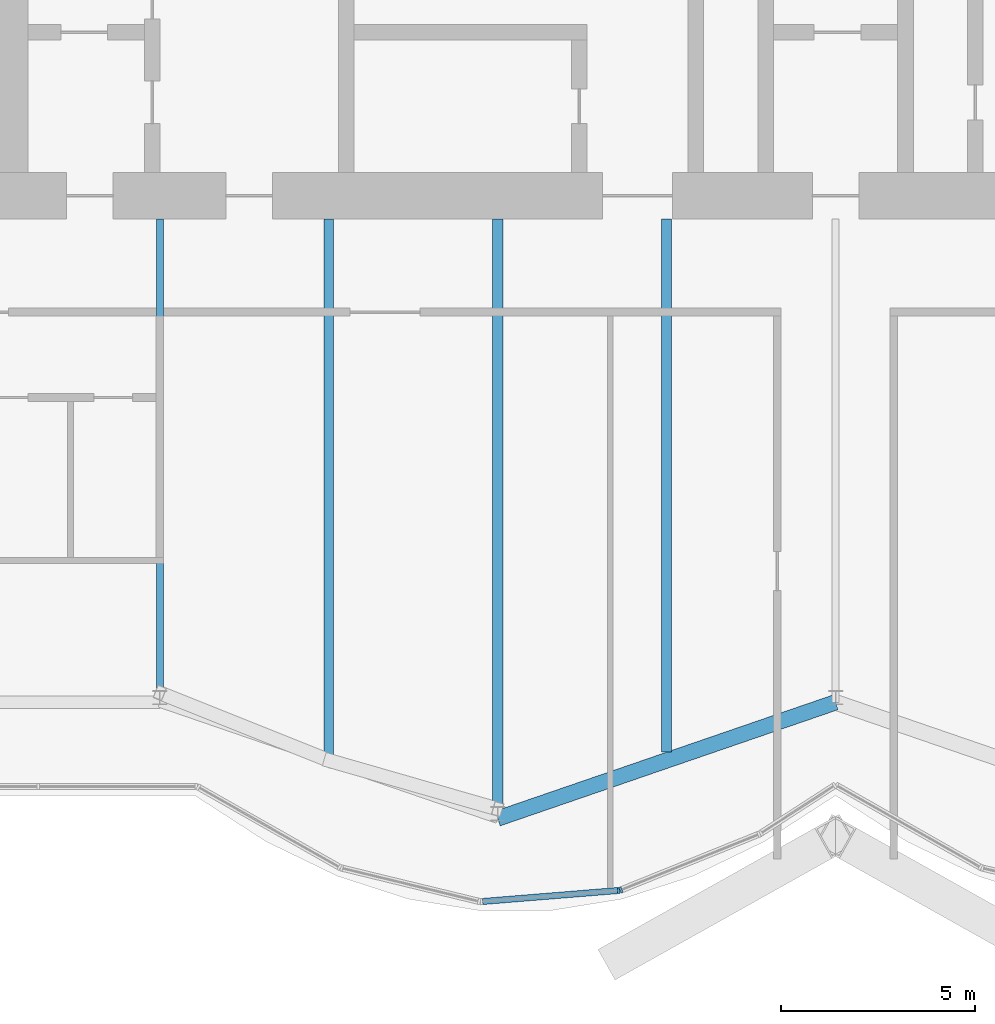
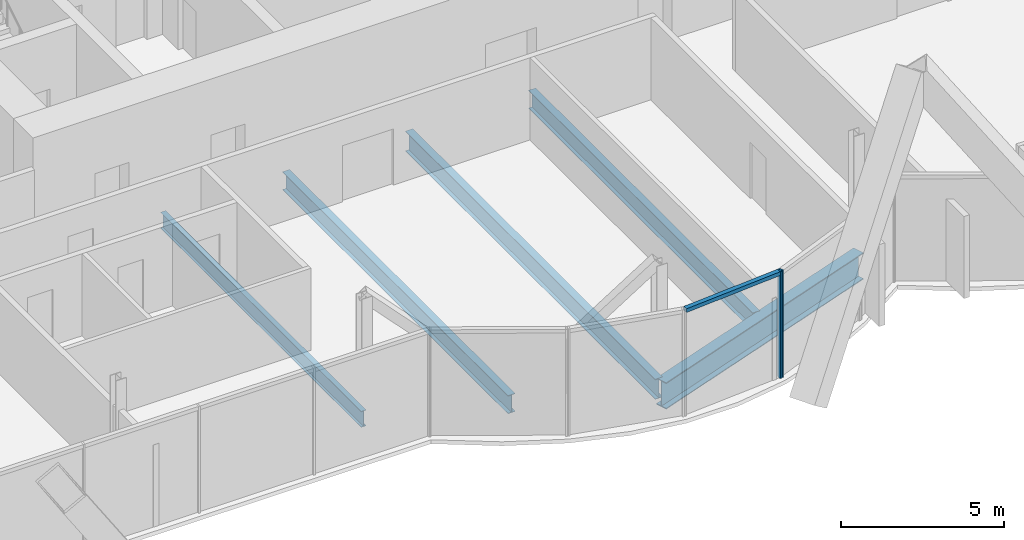
# One storey, part 6 of 19: 5 beams, 3 members, 1 element without a shape of its own.
"""IFC4 building model written with IfcOpenShell, lengths in metres."""

from ifc_helpers import new_model, si_unit, direction, frame, origin, origin_2d, place, context, subcontext, project, spatial, rectangle, i_section, extrude, material, material_profile, profile_set, type_object, element, aggregate, save


model = new_model("IFC4")

# Units and contexts
model_context = context("Model", 3, precision=1e-05, world=origin(), true_north=direction((0.0, 1.0)))
body_context = subcontext(model_context, "Body", "Model", "MODEL_VIEW")
ifc_project = project(units=[si_unit("LENGTHUNIT", "METRE"), si_unit("AREAUNIT", "SQUARE_METRE"), si_unit("VOLUMEUNIT", "CUBIC_METRE"), si_unit("PLANEANGLEUNIT", "RADIAN"), si_unit("MASSUNIT", "GRAM", prefix="KILO")], contexts=[model_context])

# Site, building, storey
site_placement = place(None, origin())
site = spatial("IfcSite", under=ifc_project, at=site_placement, CompositionType="ELEMENT")
building_placement = place(site_placement, origin())
building = spatial("IfcBuilding", under=site, at=building_placement, Name="Bicima Exchange Tower", CompositionType="ELEMENT")
storey_placement = place(building_placement, frame((0.0, 0.0, 283.39990234375)))
storey = spatial("IfcBuildingStorey", under=building, at=storey_placement, Name="L64", CompositionType="ELEMENT", Elevation=283.39990234375)

# Beams
ifc_material_1 = material(Name="Steel ASTM A992 Gr 50", Category="steel")
ifc_material_profile_1 = material_profile(ifc_material_1, i_section(OverallWidth=0.177978515625, OverallDepth=0.599365234375, WebThickness=0.010009765625, FlangeThickness=0.012939453125, at=origin_2d()))
ifc_profile_set_1 = profile_set([ifc_material_profile_1], Name="Steel ASTM A992 Gr 50")
beam_type_1 = type_object("IfcBeamType", Name="Floor beam W24x55", PredefinedType="JOIST", material=ifc_profile_set_1)
beam_1_placement = place(storey_placement, frame((-17.39990234375, -13.0, -0.44970703125), z_axis=(0.0, -1.0, 0.0), x_axis=(1.0, 0.0, 0.0)))
element("IfcBeam", 1, at=beam_1_placement, inside=storey, type_object=beam_type_1, Name="Floor beam", PredefinedType="JOIST", context=body_context, shape_type="SweptSolid", body=[
    extrude(i_section(OverallWidth=0.177978515625, OverallDepth=0.599365234375, WebThickness=0.010009765625, FlangeThickness=0.012939453125, at=origin_2d()), origin(), (0.0, 0.0, 1.0), 12.285400390625),
])
ifc_material_profile_2 = material_profile(ifc_material_1, i_section(OverallWidth=0.25390625, OverallDepth=0.67822265625, WebThickness=0.01171875, FlangeThickness=0.016357421875, at=origin_2d()))
ifc_profile_set_2 = profile_set([ifc_material_profile_2], Name="Steel ASTM A992 Gr 50")
beam_type_2 = type_object("IfcBeamType", Name="Floor beam W27x84", PredefinedType="JOIST", material=ifc_profile_set_2)
beam_2_placement = place(storey_placement, frame((-13.050048828125, -13.0, -0.489013671875), z_axis=(0.0, -1.0, 0.0), x_axis=(1.0, 0.0, 0.0)))
element("IfcBeam", 2, at=beam_2_placement, inside=storey, type_object=beam_type_2, Name="Floor beam", PredefinedType="JOIST", context=body_context, shape_type="SweptSolid", body=[
    extrude(i_section(OverallWidth=0.25390625, OverallDepth=0.67822265625, WebThickness=0.01171875, FlangeThickness=0.016357421875, at=origin_2d()), origin(), (0.0, 0.0, 1.0), 13.807861328125),
])
beam_3_placement = place(storey_placement, frame((-4.35009765625, -13.0, -0.489013671875), z_axis=(0.0, -1.0, 0.0), x_axis=(1.0, 0.0, 0.0)))
element("IfcBeam", 3, at=beam_3_placement, inside=storey, type_object=beam_type_2, Name="Floor beam", PredefinedType="JOIST", context=body_context, shape_type="SweptSolid", body=[
    extrude(i_section(OverallWidth=0.25390625, OverallDepth=0.67822265625, WebThickness=0.01171875, FlangeThickness=0.016357421875, at=origin_2d()), origin(), (0.0, 0.0, 1.0), 13.731201171875),
])
ifc_material_profile_3 = material_profile(ifc_material_1, i_section(OverallWidth=0.2666015625, OverallDepth=0.75439453125, WebThickness=0.01318359375, FlangeThickness=0.01708984375, at=origin_2d()))
ifc_profile_set_3 = profile_set([ifc_material_profile_3], Name="Steel ASTM A992 Gr 50")
beam_type_3 = type_object("IfcBeamType", Name="Floor beam W30x99", PredefinedType="JOIST", material=ifc_profile_set_3)
beam_4_placement = place(storey_placement, frame((-8.699951171875, -13.0, -0.527099609375), z_axis=(0.0, -1.0, 0.0), x_axis=(1.0, 0.0, 0.0)))
element("IfcBeam", 4, at=beam_4_placement, inside=storey, type_object=beam_type_3, Name="Floor beam", PredefinedType="JOIST", context=body_context, shape_type="SweptSolid", body=[
    extrude(i_section(OverallWidth=0.2666015625, OverallDepth=0.75439453125, WebThickness=0.01318359375, FlangeThickness=0.01708984375, at=origin_2d()), origin(), (0.0, 0.0, 1.0), 15.303466796875),
])
ifc_material_profile_4 = material_profile(ifc_material_1, i_section(OverallWidth=0.4013671875, OverallDepth=0.990478515625, WebThickness=0.0166015625, FlangeThickness=0.031005859375, at=origin_2d()))
ifc_profile_set_4 = profile_set([ifc_material_profile_4], Name="Steel ASTM A992 Gr 50")
beam_type_4 = type_object("IfcBeamType", Name="Front girder W40x215", PredefinedType="BEAM", material=ifc_profile_set_4)
beam_5_placement = place(storey_placement, frame((-8.699951171875, -28.439208984375, -0.645263671875), z_axis=(0.945666456746, 0.325138359143, 0.0), x_axis=(-0.325138359143, 0.945666456746, 0.0)))
element("IfcBeam", 5, at=beam_5_placement, inside=storey, type_object=beam_type_4, Name="Front girder", PredefinedType="BEAM", context=body_context, shape_type="SweptSolid", body=[
    extrude(i_section(OverallWidth=0.4013671875, OverallDepth=0.990478515625, WebThickness=0.0166015625, FlangeThickness=0.031005859375, at=origin_2d()), origin(), (0.0, 0.0, 1.0), 9.19970703125),
])

# Curtain wall, members
ifc_material_2 = material(Name="Anodised bronze aluminium", Category="aluminium")
curtain_wall_type = type_object("IfcCurtainWallType", Name="Front glass wall", PredefinedType="NOTDEFINED", material=ifc_material_2)
curtain_wall_placement = place(storey_placement, origin())
curtain_wall = element("IfcCurtainWall", 6, at=curtain_wall_placement, inside=storey, type_object=curtain_wall_type, Name="Front glass wall L64 run 6", PredefinedType="NOTDEFINED")
ifc_material_profile_5 = material_profile(ifc_material_2, rectangle(XDim=0.159912109375, YDim=0.06005859375, at=origin_2d()))
ifc_profile_set_5 = profile_set([ifc_material_profile_5], Name="Anodised bronze aluminium")
member_type_1 = type_object("IfcMemberType", Name="Front glass wall mullion 60 x 160", PredefinedType="MULLION", material=ifc_profile_set_5)
member_1_placement = place(storey_placement, frame((-5.583984375, -30.292724609375, 0.0), z_axis=(0.0, 0.0, 1.0), x_axis=(-0.080588612633, 0.99674744821, 0.0)))
member_1 = element("IfcMember", 7, at=member_1_placement, type_object=member_type_1, Name="Front glass wall mullion 2", PredefinedType="MULLION", context=body_context, shape_type="SweptSolid", body=[
    extrude(rectangle(XDim=0.159912109375, YDim=0.06005859375, at=origin_2d()), origin(), (0.0, 0.0, 1.0), 4.0),
])
member_2_placement = place(storey_placement, frame((-5.526123046875, -30.279296875, 0.0), z_axis=(0.0, 0.0, 1.0), x_axis=(-0.374705304, 0.92714396679, 0.0)))
member_2 = element("IfcMember", 8, at=member_2_placement, type_object=member_type_1, Name="Front glass wall mullion 1", PredefinedType="MULLION", context=body_context, shape_type="SweptSolid", body=[
    extrude(rectangle(XDim=0.159912109375, YDim=0.06005859375, at=origin_2d()), origin(), (0.0, 0.0, 1.0), 4.0),
])
ifc_material_profile_6 = material_profile(ifc_material_2, rectangle(XDim=0.159912109375, YDim=0.139892578125, at=origin_2d()))
ifc_profile_set_6 = profile_set([ifc_material_profile_6], Name="Anodised bronze aluminium")
member_type_2 = type_object("IfcMemberType", Name="Front glass wall transom 140 x 160", PredefinedType="USERDEFINED", material=ifc_profile_set_6)
member_3_placement = place(storey_placement, frame((-9.08837890625, -30.576171875, 3.93017578125), z_axis=(0.9967456465, 0.080610893699, 0.0), x_axis=(-0.080610893699, 0.9967456465, 0.0)))
member_3 = element("IfcMember", 9, at=member_3_placement, type_object=member_type_2, Name="Front glass wall transom 1.1", ObjectType="TRANSOM", PredefinedType="USERDEFINED", context=body_context, shape_type="SweptSolid", body=[
    extrude(rectangle(XDim=0.159912109375, YDim=0.139892578125, at=origin_2d()), origin(), (0.0, 0.0, 1.0), 3.48583984375),
])
aggregate(curtain_wall, [member_1, member_3, member_2])

save(model, "model.ifc")
